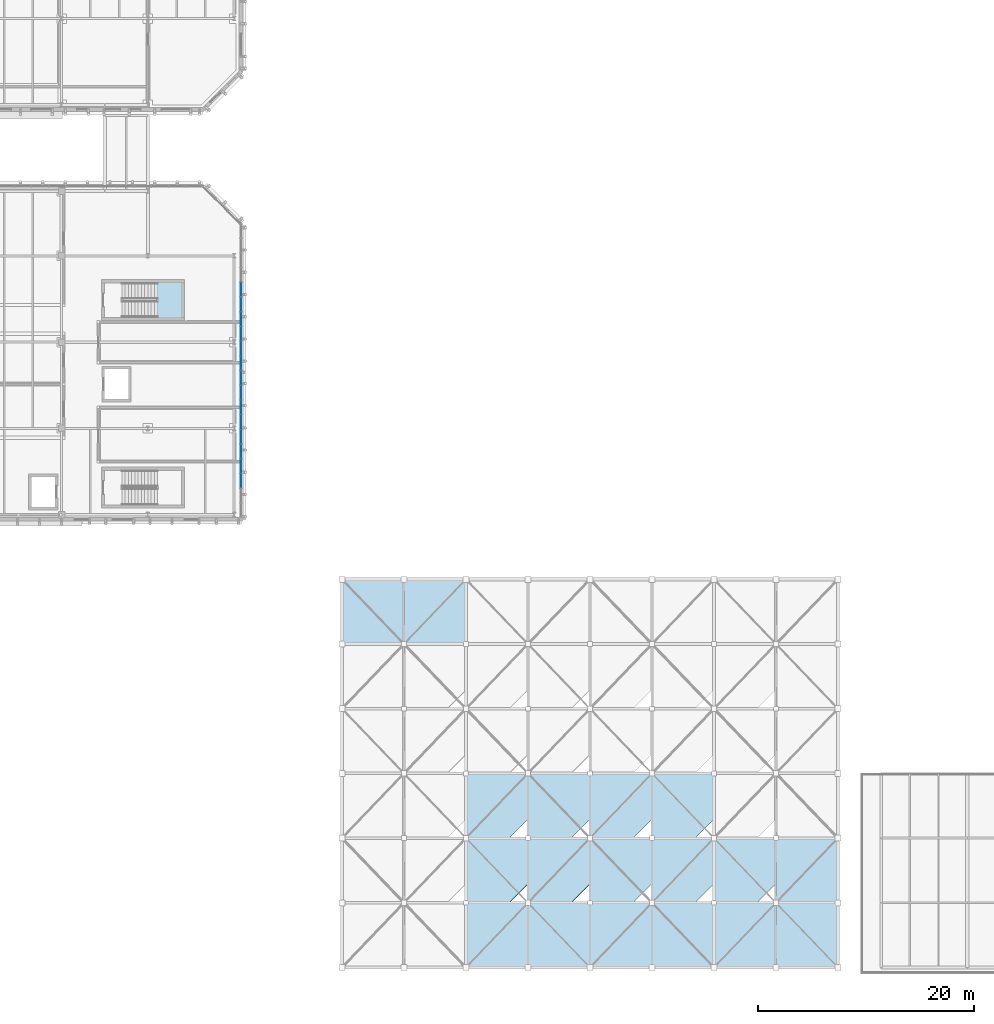
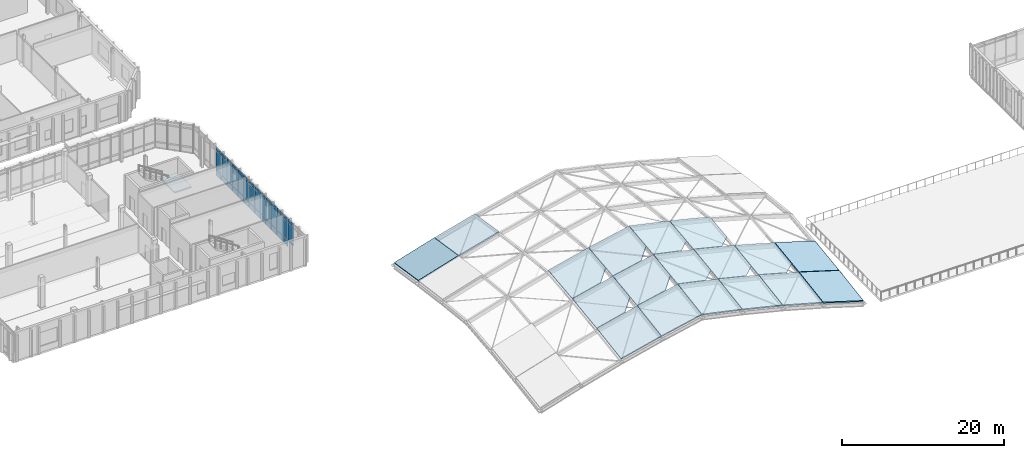
# One storey, part 30 of 62: 41 plates, 19 slabs, 5 elements without a shape of their own.
"""IFC4 building model written with IfcOpenShell, lengths in metres."""

from ifc_helpers import new_model, si_unit, direction, frame, origin, origin_2d, place, context, subcontext, project, spatial, polyline, rectangle, outline, extrude, material, layer, layer_set, type_object, element, aggregate, save


model = new_model("IFC4")

# Units and contexts
model_context = context("Model", 3, precision=1e-05, world=origin(), true_north=direction((0.0, 1.0)))
body_context = subcontext(model_context, "Body", "Model", "MODEL_VIEW")
ifc_project = project(units=[si_unit("LENGTHUNIT", "METRE"), si_unit("AREAUNIT", "SQUARE_METRE"), si_unit("VOLUMEUNIT", "CUBIC_METRE"), si_unit("PLANEANGLEUNIT", "RADIAN"), si_unit("MASSUNIT", "GRAM", prefix="KILO")], contexts=[model_context])

# Site, building, storey
site_placement = place(None, origin())
site = spatial("IfcSite", under=ifc_project, at=site_placement, CompositionType="ELEMENT")
building_placement = place(site_placement, origin())
building = spatial("IfcBuilding", under=site, at=building_placement, Name="Cymarion Research Institute", CompositionType="ELEMENT")
storey_placement = place(building_placement, frame((0.0, 0.0, 18.300048828125)))
storey = spatial("IfcBuildingStorey", under=building, at=storey_placement, Name="L04", CompositionType="ELEMENT", Elevation=18.300048828125)

# Curtain wall, plates
ifc_material_1 = material(Name="Anodised aluminium unitised curtain wall with Low-E glazing", Category="aluminium")
curtain_wall_type = type_object("IfcCurtainWallType", Name="UNITISED CURTAIN WALL CW40 6820X4280", PredefinedType="NOTDEFINED", material=ifc_material_1)
curtain_wall_1_placement = place(storey_placement, origin())
curtain_wall_1 = element("IfcCurtainWall", 1, at=curtain_wall_1_placement, inside=storey, type_object=curtain_wall_type, Name="L04 V4 unitised curtain wall CW40 #177", PredefinedType="NOTDEFINED")
ifc_material_2 = material(Name="Insulated anodised aluminium spandrel panel", Category="aluminium")
ifc_layer_1 = layer(ifc_material_2, 0.06005859375)
ifc_layer_set_1 = layer_set([ifc_layer_1], Name="Insulated anodised aluminium spandrel panel")
plate_type_1 = type_object("IfcPlateType", Name="INSULATED ALUMINIUM SPANDREL PANEL SP01 60MM", PredefinedType="SHEET", material=ifc_layer_set_1)
plate_1_placement = place(storey_placement, frame((47.22998046875, 50.6318359375, 3.760009765625), z_axis=(0.0, 0.0, 1.0), x_axis=(0.0, 1.0, 0.0)))
plate_1 = element("IfcPlate", 2, at=plate_1_placement, type_object=plate_type_1, Name="CW40 panel 3.3", PredefinedType="SHEET", context=body_context, shape_type="SweptSolid", body=[
    extrude(rectangle(XDim=1.303955078125, YDim=0.06005859375, at=origin_2d()), origin(), (0.0, 0.0, 1.0), 0.4599609375),
])
plate_2_placement = place(storey_placement, frame((47.22998046875, 51.99560546875, 0.059814453125), z_axis=(0.0, 0.0, 1.0), x_axis=(0.0, 1.0, 0.0)))
plate_2 = element("IfcPlate", 3, at=plate_2_placement, type_object=plate_type_1, Name="CW40 panel 4.1", PredefinedType="SHEET", context=body_context, shape_type="SweptSolid", body=[
    extrude(rectangle(XDim=1.303955078125, YDim=0.06005859375, at=origin_2d()), origin(), (0.0, 0.0, 1.0), 0.81005859375),
])
plate_3_placement = place(storey_placement, frame((47.22998046875, 51.99560546875, 3.760009765625), z_axis=(0.0, 0.0, 1.0), x_axis=(0.0, 1.0, 0.0)))
plate_3 = element("IfcPlate", 4, at=plate_3_placement, type_object=plate_type_1, Name="CW40 panel 4.3", PredefinedType="SHEET", context=body_context, shape_type="SweptSolid", body=[
    extrude(rectangle(XDim=1.303955078125, YDim=0.06005859375, at=origin_2d()), origin(), (0.0, 0.0, 1.0), 0.4599609375),
])
plate_4_placement = place(storey_placement, frame((47.22998046875, 53.344482421875, 0.059814453125), z_axis=(0.0, 0.0, 1.0), x_axis=(0.0, 1.0, 0.0)))
plate_4 = element("IfcPlate", 5, at=plate_4_placement, type_object=plate_type_1, Name="CW40 panel 5.1", PredefinedType="SHEET", context=body_context, shape_type="SweptSolid", body=[
    extrude(rectangle(XDim=1.27392578125, YDim=0.06005859375, at=origin_2d()), origin(), (0.0, 0.0, 1.0), 0.81005859375),
])
plate_5_placement = place(storey_placement, frame((47.22998046875, 53.344482421875, 3.760009765625), z_axis=(0.0, 0.0, 1.0), x_axis=(0.0, 1.0, 0.0)))
plate_5 = element("IfcPlate", 6, at=plate_5_placement, type_object=plate_type_1, Name="CW40 panel 5.3", PredefinedType="SHEET", context=body_context, shape_type="SweptSolid", body=[
    extrude(rectangle(XDim=1.27392578125, YDim=0.06005859375, at=origin_2d()), origin(), (0.0, 0.0, 1.0), 0.4599609375),
])

curtain_wall_2_placement = place(storey_placement, origin())
curtain_wall_2 = element("IfcCurtainWall", 7, at=curtain_wall_2_placement, inside=storey, type_object=curtain_wall_type, Name="L04 V4 unitised curtain wall CW40 #178", PredefinedType="NOTDEFINED")
plate_6_placement = place(storey_placement, frame((47.22998046875, 54.738525390625, 0.059814453125), z_axis=(0.0, 0.0, 1.0), x_axis=(0.0, 1.0, 0.0)))
plate_6 = element("IfcPlate", 8, at=plate_6_placement, type_object=plate_type_1, Name="CW40 panel 1.1", PredefinedType="SHEET", context=body_context, shape_type="SweptSolid", body=[
    extrude(rectangle(XDim=1.27392578125, YDim=0.06005859375, at=origin_2d()), origin(), (0.0, 0.0, 1.0), 0.81005859375),
])
plate_7_placement = place(storey_placement, frame((47.22998046875, 54.738525390625, 3.760009765625), z_axis=(0.0, 0.0, 1.0), x_axis=(0.0, 1.0, 0.0)))
plate_7 = element("IfcPlate", 9, at=plate_7_placement, type_object=plate_type_1, Name="CW40 panel 1.3", PredefinedType="SHEET", context=body_context, shape_type="SweptSolid", body=[
    extrude(rectangle(XDim=1.27392578125, YDim=0.06005859375, at=origin_2d()), origin(), (0.0, 0.0, 1.0), 0.4599609375),
])
plate_8_placement = place(storey_placement, frame((47.22998046875, 56.08740234375, 0.059814453125), z_axis=(0.0, 0.0, 1.0), x_axis=(0.0, 1.0, 0.0)))
plate_8 = element("IfcPlate", 10, at=plate_8_placement, type_object=plate_type_1, Name="CW40 panel 2.1", PredefinedType="SHEET", context=body_context, shape_type="SweptSolid", body=[
    extrude(rectangle(XDim=1.303955078125, YDim=0.06005859375, at=origin_2d()), origin(), (0.0, 0.0, 1.0), 0.81005859375),
])
plate_9_placement = place(storey_placement, frame((47.22998046875, 56.08740234375, 3.760009765625), z_axis=(0.0, 0.0, 1.0), x_axis=(0.0, 1.0, 0.0)))
plate_9 = element("IfcPlate", 11, at=plate_9_placement, type_object=plate_type_1, Name="CW40 panel 2.3", PredefinedType="SHEET", context=body_context, shape_type="SweptSolid", body=[
    extrude(rectangle(XDim=1.303955078125, YDim=0.06005859375, at=origin_2d()), origin(), (0.0, 0.0, 1.0), 0.4599609375),
])
plate_10_placement = place(storey_placement, frame((47.22998046875, 57.451171875, 0.059814453125), z_axis=(0.0, 0.0, 1.0), x_axis=(0.0, 1.0, 0.0)))
plate_10 = element("IfcPlate", 12, at=plate_10_placement, type_object=plate_type_1, Name="CW40 panel 3.1", PredefinedType="SHEET", context=body_context, shape_type="SweptSolid", body=[
    extrude(rectangle(XDim=1.303955078125, YDim=0.06005859375, at=origin_2d()), origin(), (0.0, 0.0, 1.0), 0.81005859375),
])
plate_11_placement = place(storey_placement, frame((47.22998046875, 57.451171875, 3.760009765625), z_axis=(0.0, 0.0, 1.0), x_axis=(0.0, 1.0, 0.0)))
plate_11 = element("IfcPlate", 13, at=plate_11_placement, type_object=plate_type_1, Name="CW40 panel 3.3", PredefinedType="SHEET", context=body_context, shape_type="SweptSolid", body=[
    extrude(rectangle(XDim=1.303955078125, YDim=0.06005859375, at=origin_2d()), origin(), (0.0, 0.0, 1.0), 0.4599609375),
])
plate_12_placement = place(storey_placement, frame((47.22998046875, 58.815185546875, 0.059814453125), z_axis=(0.0, 0.0, 1.0), x_axis=(0.0, 1.0, 0.0)))
plate_12 = element("IfcPlate", 14, at=plate_12_placement, type_object=plate_type_1, Name="CW40 panel 4.1", PredefinedType="SHEET", context=body_context, shape_type="SweptSolid", body=[
    extrude(rectangle(XDim=1.303955078125, YDim=0.06005859375, at=origin_2d()), origin(), (0.0, 0.0, 1.0), 0.81005859375),
])
plate_13_placement = place(storey_placement, frame((47.22998046875, 58.815185546875, 3.760009765625), z_axis=(0.0, 0.0, 1.0), x_axis=(0.0, 1.0, 0.0)))
plate_13 = element("IfcPlate", 15, at=plate_13_placement, type_object=plate_type_1, Name="CW40 panel 4.3", PredefinedType="SHEET", context=body_context, shape_type="SweptSolid", body=[
    extrude(rectangle(XDim=1.303955078125, YDim=0.06005859375, at=origin_2d()), origin(), (0.0, 0.0, 1.0), 0.4599609375),
])
plate_14_placement = place(storey_placement, frame((47.22998046875, 60.1640625, 0.059814453125), z_axis=(0.0, 0.0, 1.0), x_axis=(0.0, 1.0, 0.0)))
plate_14 = element("IfcPlate", 16, at=plate_14_placement, type_object=plate_type_1, Name="CW40 panel 5.1", PredefinedType="SHEET", context=body_context, shape_type="SweptSolid", body=[
    extrude(rectangle(XDim=1.27392578125, YDim=0.06005859375, at=origin_2d()), origin(), (0.0, 0.0, 1.0), 0.81005859375),
])
plate_15_placement = place(storey_placement, frame((47.22998046875, 60.1640625, 3.760009765625), z_axis=(0.0, 0.0, 1.0), x_axis=(0.0, 1.0, 0.0)))
plate_15 = element("IfcPlate", 17, at=plate_15_placement, type_object=plate_type_1, Name="CW40 panel 5.3", PredefinedType="SHEET", context=body_context, shape_type="SweptSolid", body=[
    extrude(rectangle(XDim=1.27392578125, YDim=0.06005859375, at=origin_2d()), origin(), (0.0, 0.0, 1.0), 0.4599609375),
])

curtain_wall_3_placement = place(storey_placement, origin())
curtain_wall_3 = element("IfcCurtainWall", 18, at=curtain_wall_3_placement, inside=storey, type_object=curtain_wall_type, Name="L04 V4 unitised curtain wall CW40 #179", PredefinedType="NOTDEFINED")
plate_16_placement = place(storey_placement, frame((47.22998046875, 61.557861328125, 0.059814453125), z_axis=(0.0, 0.0, 1.0), x_axis=(0.0, 1.0, 0.0)))
plate_16 = element("IfcPlate", 19, at=plate_16_placement, type_object=plate_type_1, Name="CW40 panel 1.1", PredefinedType="SHEET", context=body_context, shape_type="SweptSolid", body=[
    extrude(rectangle(XDim=1.27392578125, YDim=0.06005859375, at=origin_2d()), origin(), (0.0, 0.0, 1.0), 0.81005859375),
])
plate_17_placement = place(storey_placement, frame((47.22998046875, 61.557861328125, 3.760009765625), z_axis=(0.0, 0.0, 1.0), x_axis=(0.0, 1.0, 0.0)))
plate_17 = element("IfcPlate", 20, at=plate_17_placement, type_object=plate_type_1, Name="CW40 panel 1.3", PredefinedType="SHEET", context=body_context, shape_type="SweptSolid", body=[
    extrude(rectangle(XDim=1.27392578125, YDim=0.06005859375, at=origin_2d()), origin(), (0.0, 0.0, 1.0), 0.4599609375),
])
plate_18_placement = place(storey_placement, frame((47.22998046875, 62.90673828125, 0.059814453125), z_axis=(0.0, 0.0, 1.0), x_axis=(0.0, 1.0, 0.0)))
plate_18 = element("IfcPlate", 21, at=plate_18_placement, type_object=plate_type_1, Name="CW40 panel 2.1", PredefinedType="SHEET", context=body_context, shape_type="SweptSolid", body=[
    extrude(rectangle(XDim=1.303955078125, YDim=0.06005859375, at=origin_2d()), origin(), (0.0, 0.0, 1.0), 0.81005859375),
])
plate_19_placement = place(storey_placement, frame((47.22998046875, 62.90673828125, 3.760009765625), z_axis=(0.0, 0.0, 1.0), x_axis=(0.0, 1.0, 0.0)))
plate_19 = element("IfcPlate", 22, at=plate_19_placement, type_object=plate_type_1, Name="CW40 panel 2.3", PredefinedType="SHEET", context=body_context, shape_type="SweptSolid", body=[
    extrude(rectangle(XDim=1.303955078125, YDim=0.06005859375, at=origin_2d()), origin(), (0.0, 0.0, 1.0), 0.4599609375),
])
plate_20_placement = place(storey_placement, frame((47.22998046875, 64.270751953125, 0.059814453125), z_axis=(0.0, 0.0, 1.0), x_axis=(0.0, 1.0, 0.0)))
plate_20 = element("IfcPlate", 23, at=plate_20_placement, type_object=plate_type_1, Name="CW40 panel 3.1", PredefinedType="SHEET", context=body_context, shape_type="SweptSolid", body=[
    extrude(rectangle(XDim=1.303955078125, YDim=0.06005859375, at=origin_2d()), origin(), (0.0, 0.0, 1.0), 0.81005859375),
])
plate_21_placement = place(storey_placement, frame((47.22998046875, 64.270751953125, 3.760009765625), z_axis=(0.0, 0.0, 1.0), x_axis=(0.0, 1.0, 0.0)))
plate_21 = element("IfcPlate", 24, at=plate_21_placement, type_object=plate_type_1, Name="CW40 panel 3.3", PredefinedType="SHEET", context=body_context, shape_type="SweptSolid", body=[
    extrude(rectangle(XDim=1.303955078125, YDim=0.06005859375, at=origin_2d()), origin(), (0.0, 0.0, 1.0), 0.4599609375),
])
plate_22_placement = place(storey_placement, frame((47.22998046875, 65.634765625, 0.059814453125), z_axis=(0.0, 0.0, 1.0), x_axis=(0.0, 1.0, 0.0)))
plate_22 = element("IfcPlate", 25, at=plate_22_placement, type_object=plate_type_1, Name="CW40 panel 4.1", PredefinedType="SHEET", context=body_context, shape_type="SweptSolid", body=[
    extrude(rectangle(XDim=1.303955078125, YDim=0.06005859375, at=origin_2d()), origin(), (0.0, 0.0, 1.0), 0.81005859375),
])
plate_23_placement = place(storey_placement, frame((47.22998046875, 65.634765625, 3.760009765625), z_axis=(0.0, 0.0, 1.0), x_axis=(0.0, 1.0, 0.0)))
plate_23 = element("IfcPlate", 26, at=plate_23_placement, type_object=plate_type_1, Name="CW40 panel 4.3", PredefinedType="SHEET", context=body_context, shape_type="SweptSolid", body=[
    extrude(rectangle(XDim=1.303955078125, YDim=0.06005859375, at=origin_2d()), origin(), (0.0, 0.0, 1.0), 0.4599609375),
])
plate_24_placement = place(storey_placement, frame((47.22998046875, 66.983642578125, 0.059814453125), z_axis=(0.0, 0.0, 1.0), x_axis=(0.0, 1.0, 0.0)))
plate_24 = element("IfcPlate", 27, at=plate_24_placement, type_object=plate_type_1, Name="CW40 panel 5.1", PredefinedType="SHEET", context=body_context, shape_type="SweptSolid", body=[
    extrude(rectangle(XDim=1.27392578125, YDim=0.06005859375, at=origin_2d()), origin(), (0.0, 0.0, 1.0), 0.81005859375),
])
plate_25_placement = place(storey_placement, frame((47.22998046875, 66.983642578125, 3.760009765625), z_axis=(0.0, 0.0, 1.0), x_axis=(0.0, 1.0, 0.0)))
plate_25 = element("IfcPlate", 28, at=plate_25_placement, type_object=plate_type_1, Name="CW40 panel 5.3", PredefinedType="SHEET", context=body_context, shape_type="SweptSolid", body=[
    extrude(rectangle(XDim=1.27392578125, YDim=0.06005859375, at=origin_2d()), origin(), (0.0, 0.0, 1.0), 0.4599609375),
])

curtain_wall_4_placement = place(storey_placement, origin())
curtain_wall_4 = element("IfcCurtainWall", 29, at=curtain_wall_4_placement, inside=storey, type_object=curtain_wall_type, Name="L04 V4 unitised curtain wall CW40 #180", PredefinedType="NOTDEFINED")
plate_26_placement = place(storey_placement, frame((47.22998046875, 68.37744140625, 0.059814453125), z_axis=(0.0, 0.0, 1.0), x_axis=(0.0, 1.0, 0.0)))
plate_26 = element("IfcPlate", 30, at=plate_26_placement, type_object=plate_type_1, Name="CW40 panel 1.1", PredefinedType="SHEET", context=body_context, shape_type="SweptSolid", body=[
    extrude(rectangle(XDim=1.27392578125, YDim=0.06005859375, at=origin_2d()), origin(), (0.0, 0.0, 1.0), 0.81005859375),
])
plate_27_placement = place(storey_placement, frame((47.22998046875, 68.37744140625, 3.760009765625), z_axis=(0.0, 0.0, 1.0), x_axis=(0.0, 1.0, 0.0)))
plate_27 = element("IfcPlate", 31, at=plate_27_placement, type_object=plate_type_1, Name="CW40 panel 1.3", PredefinedType="SHEET", context=body_context, shape_type="SweptSolid", body=[
    extrude(rectangle(XDim=1.27392578125, YDim=0.06005859375, at=origin_2d()), origin(), (0.0, 0.0, 1.0), 0.4599609375),
])

# Stair, slab
ifc_material_3 = material(Name="Concrete C35/45", Category="concrete")
stair_type = type_object("IfcStairType", Name="REINFORCED CONCRETE DOGLEG STAIR STR-4500", PredefinedType="HALF_TURN_STAIR", material=ifc_material_3)
stair_placement = place(storey_placement, origin())
stair = element("IfcStair", 32, at=stair_placement, inside=storey, type_object=stair_type, Name="L04 Core C8 Smoke-Proof Exit Stair ST8", PredefinedType="HALF_TURN_STAIR")
ifc_layer_2 = layer(ifc_material_3, 0.199951171875)
ifc_layer_set_2 = layer_set([ifc_layer_2], Name="Concrete C35/45")
slab_type_1 = type_object("IfcSlabType", Name="REINFORCED CONCRETE STAIR LANDING LDG200", PredefinedType="LANDING", material=ifc_layer_set_2)
slab_1_placement = place(storey_placement, frame((0.0, 0.0, 2.050048828125)))
slab_1 = element("IfcSlab", 33, at=slab_1_placement, type_object=slab_type_1, Name="ST8 landing 1", PredefinedType="LANDING", context=body_context, shape_type="SweptSolid", body=[
    extrude(outline(polyline([(39.3798828125, 65.679931640625), (39.3798828125, 69.1201171875), (41.820068359375, 69.1201171875), (41.820068359375, 65.679931640625), (39.3798828125, 65.679931640625)])), origin(), (0.0, 0.0, 1.0), 0.199951171875),
])
aggregate(stair, [slab_1])

# Slabs
ifc_layer_3 = layer(ifc_material_3, 0.179931640625)
ifc_layer_set_3 = layer_set([ifc_layer_3], Name="Concrete C35/45")
slab_type_2 = type_object("IfcSlabType", Name="ROOF SLAB SL-RF180 180MM", PredefinedType="ROOF", material=ifc_layer_set_3)
slab_2_placement = place(storey_placement, frame((56.625, 35.52490234375, 1.233642578125), z_axis=(-0.28953152297, 0.146604345564, 0.945874549329), x_axis=(0.956206031696, -2.839672e-06, 0.292694422463)))
element("IfcSlab", 34, at=slab_2_placement, inside=storey, type_object=slab_type_2, Name="Translational gridshell roof cassette B1-6", PredefinedType="ROOF", context=body_context, shape_type="SweptSolid", body=[
    extrude(outline(polyline([(0.0, 0.0), (5.961042299643434, 0.0), (5.691054815131736, 6.015204487327969), (-0.26991602591246405, 6.015170262929208), (0.0, 0.0)])), origin(), (0.0, 0.0, -1.0), 0.179931640625),
])
slab_3_placement = place(storey_placement, frame((62.375, 35.52490234375, 2.992919921875), z_axis=(-0.265153979791, 0.14766316809, 0.952832071139), x_axis=(0.963393066788, 0.0, 0.268092892231)))
element("IfcSlab", 35, at=slab_3_placement, inside=storey, type_object=slab_type_2, Name="Translational gridshell roof cassette B2-6", PredefinedType="ROOF", context=body_context, shape_type="SweptSolid", body=[
    extrude(outline(polyline([(0.0, 0.0), (5.9165374636534676, 2.7755575615628914e-17), (5.669323876261579, 6.016146059448092), (-0.24721358739188834, 6.016146059448092), (0.0, 0.0)])), origin(), (0.0, 0.0, -1.0), 0.179931640625),
])
slab_4_placement = place(storey_placement, frame((68.125, 5.52490234375, 3.669921875), z_axis=(-0.233950089675, -0.148894839405, 0.960779726233), x_axis=(0.971610230498, 0.0, 0.236587320015)))
element("IfcSlab", 36, at=slab_4_placement, inside=storey, type_object=slab_type_2, Name="Translational gridshell roof cassette B3-1", PredefinedType="ROOF", context=body_context, shape_type="SweptSolid", body=[
    extrude(outline(polyline([(0.0, 0.0), (5.86649974748999, 0.0), (6.084661443704627, 6.017269600134991), (0.2181616962146373, 6.017269600134991), (0.0, 0.0)])), origin(), (0.0, 0.0, -1.0), 0.179931640625),
])
slab_5_placement = place(storey_placement, frame((68.125, 11.52490234375, 4.599365234375), z_axis=(-0.234573387599, -0.130055746394, 0.963359137944), x_axis=(0.971611439182, -3.16822e-06, 0.23658235615)))
element("IfcSlab", 37, at=slab_5_placement, inside=storey, type_object=slab_type_2, Name="Translational gridshell roof cassette B3-2", PredefinedType="ROOF", context=body_context, shape_type="SweptSolid", body=[
    extrude(outline(polyline([(0.0, 0.0), (4.116847860896765, 0.0), (5.920788163228373, 1.714776982754914), (6.056509204386324, 6.001179489397366), (0.19000945700233768, 6.001157162948493), (0.0, 0.0)])), origin(), (0.0, 0.0, -1.0), 0.179931640625),
])
slab_6_placement = place(storey_placement, frame((68.125, 17.52490234375, 5.40869140625), z_axis=(-0.235249304932, -0.106265295572, 0.96610840566), x_axis=(0.971609770611, 2.822718e-06, 0.236589208642)))
element("IfcSlab", 38, at=slab_6_placement, inside=storey, type_object=slab_type_2, Name="Translational gridshell roof cassette B3-3", PredefinedType="ROOF", context=body_context, shape_type="SweptSolid", body=[
    extrude(outline(polyline([(0.0, 0.0), (4.116905621134608, -1.3877787807814457e-17), (5.910749501172705, 1.7098593481696882), (6.021373884087347, 5.984066395816245), (0.15487413663181118, 5.984084073309338), (0.0, 0.0)])), origin(), (0.0, 0.0, -1.0), 0.179931640625),
])
slab_7_placement = place(storey_placement, frame((73.875, 5.52490234375, 5.0693359375), z_axis=(-0.208414207129, -0.149801224094, 0.966500445694), x_axis=(0.97753086892, -3.031019e-06, 0.210792315562)))
element("IfcSlab", 39, at=slab_7_placement, inside=storey, type_object=slab_type_2, Name="Translational gridshell roof cassette B4-1", PredefinedType="ROOF", context=body_context, shape_type="SweptSolid", body=[
    extrude(outline(polyline([(0.0, 0.0), (5.830942801075777, 0.0), (6.025351857763521, 6.018121250378186), (0.19435759372007794, 6.01808549941323), (0.0, 0.0)])), origin(), (0.0, 0.0, -1.0), 0.179931640625),
])
slab_8_placement = place(storey_placement, frame((73.875, 11.52490234375, 5.998779296875), z_axis=(-0.208997012014, -0.130831168671, 0.969125097329), x_axis=(0.977527336484, -2.248686e-06, 0.210808696268)))
element("IfcSlab", 40, at=slab_8_placement, inside=storey, type_object=slab_type_2, Name="Translational gridshell roof cassette B4-2", PredefinedType="ROOF", context=body_context, shape_type="SweptSolid", body=[
    extrude(outline(polyline([(0.0, 0.0), (4.091942139858939, 0.0), (5.879369390926413, 1.7149478414043142), (6.000307206137259, 6.001792916208424), (0.16931294085598705, 6.001776738448944), (0.0, 0.0)])), origin(), (0.0, 0.0, -1.0), 0.179931640625),
])
slab_9_placement = place(storey_placement, frame((73.875, 17.52490234375, 6.80810546875), z_axis=(-0.209600785432, -0.106922724332, 0.971923372374), x_axis=(0.977527252105, -1.875508e-06, 0.210809087539)))
element("IfcSlab", 41, at=slab_9_placement, inside=storey, type_object=slab_type_2, Name="Translational gridshell roof cassette B4-3", PredefinedType="ROOF", context=body_context, shape_type="SweptSolid", body=[
    extrude(outline(polyline([(0.0, 0.0), (4.091942139833851, 0.0), (5.870414846353786, 1.7100083969918736), (5.968966299916487, 5.9845108538959355), (0.1379720346214723, 5.984497632504315), (0.0, 0.0)])), origin(), (0.0, 0.0, -1.0), 0.179931640625),
])
slab_10_placement = place(storey_placement, frame((79.625, 5.52490234375, 6.29833984375), z_axis=(0.208414207129, -0.149801224094, 0.966500445694), x_axis=(0.97753086892, 3.031019e-06, -0.210792315562)))
element("IfcSlab", 42, at=slab_10_placement, inside=storey, type_object=slab_type_2, Name="Translational gridshell roof cassette B5-1", PredefinedType="ROOF", context=body_context, shape_type="SweptSolid", body=[
    extrude(outline(polyline([(0.0, 0.0), (5.830942801075777, 0.0), (5.636585207355699, 6.01808549941323), (-0.1944090566877445, 6.0181212503781865), (0.0, 0.0)])), origin(), (0.0, 0.0, -1.0), 0.179931640625),
])
slab_11_placement = place(storey_placement, frame((79.625, 11.52490234375, 7.22802734375), z_axis=(0.20900597925, -0.130836475983, 0.969122446954), x_axis=(0.977525177189, -4.096355e-06, -0.210818708714)))
element("IfcSlab", 43, at=slab_11_placement, inside=storey, type_object=slab_type_2, Name="Translational gridshell roof cassette B5-2", PredefinedType="ROOF", context=body_context, shape_type="SweptSolid", body=[
    extrude(outline(polyline([(0.0, 0.0), (4.091993608317431, -1.3877787807814457e-17), (5.782606053958096, 1.7149596104273475), (5.661635527878375, 6.0018037621310585), (-0.1693587373116787, 6.001775445971589), (0.0, 0.0)])), origin(), (0.0, 0.0, -1.0), 0.179931640625),
])
slab_12_placement = place(storey_placement, frame((79.625, 17.52490234375, 8.037353515625), z_axis=(0.209603738004, -0.106907690925, 0.971924389362), x_axis=(0.977526692071, 2.160886e-06, -0.21081168441)))
element("IfcSlab", 44, at=slab_12_placement, inside=storey, type_object=slab_type_2, Name="Translational gridshell roof cassette B5-3", PredefinedType="ROOF", context=body_context, shape_type="SweptSolid", body=[
    extrude(outline(polyline([(0.0, 0.0), (4.091942139627471, -1.3877787807814457e-17), (5.791573683824213, 1.709981956291879), (5.693022229006076, 5.984484412967378), (-0.13797203632334315, 5.984497632500061), (0.0, 0.0)])), origin(), (0.0, 0.0, -1.0), 0.179931640625),
])
slab_13_placement = place(storey_placement, frame((85.375, 5.52490234375, 5.057861328125), z_axis=(0.233950089675, -0.148894839405, 0.960779726233), x_axis=(0.971610230498, 0.0, -0.236587320015)))
element("IfcSlab", 45, at=slab_13_placement, inside=storey, type_object=slab_type_2, Name="Translational gridshell roof cassette B6-1", PredefinedType="ROOF", context=body_context, shape_type="SweptSolid", body=[
    extrude(outline(polyline([(0.0, 0.0), (5.86649974748999, 0.0), (5.648338051275353, 6.017269600134991), (-0.2181616962146373, 6.017269600134991), (0.0, 0.0)])), origin(), (0.0, 0.0, -1.0), 0.179931640625),
])
slab_14_placement = place(storey_placement, frame((85.375, 11.52490234375, 5.9873046875), z_axis=(0.234577168859, -0.130035031824, 0.963361013509), x_axis=(0.971610681427, 3.587762e-06, -0.236585468118)))
element("IfcSlab", 46, at=slab_14_placement, inside=storey, type_object=slab_type_2, Name="Translational gridshell roof cassette B6-2", PredefinedType="ROOF", context=body_context, shape_type="SweptSolid", body=[
    extrude(outline(polyline([(0.0, 0.0), (4.11684786055133, 0.0), (5.812211330727837, 1.714732333779642), (5.6764902871916485, 6.001134840011576), (-0.1900094602499274, 6.0011571629044145), (0.0, 0.0)])), origin(), (0.0, 0.0, -1.0), 0.179931640625),
])
slab_15_placement = place(storey_placement, frame((85.375, 17.52490234375, 6.796630859375), z_axis=(0.235246046256, -0.106265060272, 0.966109225029), x_axis=(0.971610714981, 2.908434e-06, -0.236585330326)))
element("IfcSlab", 47, at=slab_15_placement, inside=storey, type_object=slab_type_2, Name="Translational gridshell roof cassette B6-3", PredefinedType="ROOF", context=body_context, shape_type="SweptSolid", body=[
    extrude(outline(polyline([(0.0, 0.0), (4.116847860576344, 1.3877787807814457e-17), (5.822260463104233, 1.7098590542236374), (5.711662250812492, 5.984066779115638), (-0.1548374966403843, 5.984085021457873), (0.0, 0.0)])), origin(), (0.0, 0.0, -1.0), 0.179931640625),
])
slab_16_placement = place(storey_placement, frame((91.125, 5.52490234375, 3.656982421875), z_axis=(0.265153979791, -0.14766316809, 0.952832071139), x_axis=(0.963393066788, 0.0, -0.268092892231)))
element("IfcSlab", 48, at=slab_16_placement, inside=storey, type_object=slab_type_2, Name="Translational gridshell roof cassette B7-1", PredefinedType="ROOF", context=body_context, shape_type="SweptSolid", body=[
    extrude(outline(polyline([(0.0, 0.0), (5.9165374636534676, 2.7755575615628914e-17), (5.669323876261579, 6.016146059448092), (-0.24721358739188834, 6.016146059448092), (0.0, 0.0)])), origin(), (0.0, 0.0, -1.0), 0.179931640625),
])
slab_17_placement = place(storey_placement, frame((91.125, 11.52490234375, 4.58642578125), z_axis=(0.265853982835, -0.128957058907, 0.955349013067), x_axis=(0.963393257296, 2.392413e-06, -0.26809220763)))
element("IfcSlab", 49, at=slab_17_placement, inside=storey, type_object=slab_type_2, Name="Translational gridshell roof cassette B7-2", PredefinedType="ROOF", context=body_context, shape_type="SweptSolid", body=[
    extrude(outline(polyline([(0.0, 0.0), (4.151969605008283, 0.0), (5.855016464023721, 1.7144958269268702), (5.701213963827248, 6.000287637042009), (-0.21532349980779328, 6.000302215836724), (0.0, 0.0)])), origin(), (0.0, 0.0, -1.0), 0.179931640625),
])
slab_18_placement = place(storey_placement, frame((96.875, 5.52490234375, 2.05615234375), z_axis=(0.28953152297, -0.146604345564, 0.945874549329), x_axis=(0.956206278061, 2.839706e-06, -0.292693617609)))
element("IfcSlab", 50, at=slab_18_placement, inside=storey, type_object=slab_type_2, Name="Translational gridshell roof cassette B8-1", PredefinedType="ROOF", context=body_context, shape_type="SweptSolid", body=[
    extrude(outline(polyline([(0.0, 0.0), (5.960970841142449, -2.7755575615628914e-17), (5.691089350814489, 6.015171812529594), (-0.26995294873069575, 6.015206037338629), (0.0, 0.0)])), origin(), (0.0, 0.0, -1.0), 0.179931640625),
])
slab_19_placement = place(storey_placement, frame((96.875, 11.52490234375, 2.985595703125), z_axis=(0.290267122609, -0.128017884966, 0.948344040241), x_axis=(0.956211886068, 0.0, -0.292675296091)))
element("IfcSlab", 51, at=slab_19_placement, inside=storey, type_object=slab_type_2, Name="Translational gridshell roof cassette B8-2", PredefinedType="ROOF", context=body_context, shape_type="SweptSolid", body=[
    extrude(outline(polyline([(0.0, 0.0), (5.960970842260702, 0.0), (5.725887413515527, 5.999560540067888), (-0.23508342874517463, 5.999560540067889), (0.0, 0.0)])), origin(), (0.0, 0.0, -1.0), 0.179931640625),
])

# Plate
ifc_material_4 = material(Name="Low-E double solar-control glazing", Category="glass")
ifc_layer_4 = layer(ifc_material_4, 0.035888671875)
ifc_layer_set_4 = layer_set([ifc_layer_4], Name="Low-E double solar-control glazing")
plate_type_2 = type_object("IfcPlateType", Name="SOLAR CONTROL GLAZED VISION PANEL GP01 36MM", PredefinedType="CURTAIN_PANEL", material=ifc_layer_set_4)
plate_28_placement = place(storey_placement, frame((47.22998046875, 50.6318359375, 0.929931640625), z_axis=(0.0, 0.0, 1.0), x_axis=(0.0, 1.0, 0.0)))
plate_28 = element("IfcPlate", 52, at=plate_28_placement, type_object=plate_type_2, Name="CW40 panel 3.2", PredefinedType="CURTAIN_PANEL", context=body_context, shape_type="SweptSolid", body=[
    extrude(rectangle(XDim=1.303955078125, YDim=0.035888671875, at=origin_2d()), origin(), (0.0, 0.0, 1.0), 2.77001953125),
])

plate_29_placement = place(storey_placement, frame((47.22998046875, 51.99560546875, 0.929931640625), z_axis=(0.0, 0.0, 1.0), x_axis=(0.0, 1.0, 0.0)))
plate_29 = element("IfcPlate", 53, at=plate_29_placement, type_object=plate_type_2, Name="CW40 panel 4.2", PredefinedType="CURTAIN_PANEL", context=body_context, shape_type="SweptSolid", body=[
    extrude(rectangle(XDim=1.303955078125, YDim=0.035888671875, at=origin_2d()), origin(), (0.0, 0.0, 1.0), 2.77001953125),
])

plate_30_placement = place(storey_placement, frame((47.22998046875, 53.344482421875, 0.929931640625), z_axis=(0.0, 0.0, 1.0), x_axis=(0.0, 1.0, 0.0)))
plate_30 = element("IfcPlate", 54, at=plate_30_placement, type_object=plate_type_2, Name="CW40 panel 5.2", PredefinedType="CURTAIN_PANEL", context=body_context, shape_type="SweptSolid", body=[
    extrude(rectangle(XDim=1.27392578125, YDim=0.035888671875, at=origin_2d()), origin(), (0.0, 0.0, 1.0), 2.77001953125),
])

aggregate(curtain_wall_1, [plate_28, plate_1, plate_2, plate_29, plate_3, plate_4, plate_30, plate_5])

plate_31_placement = place(storey_placement, frame((47.22998046875, 54.738525390625, 0.929931640625), z_axis=(0.0, 0.0, 1.0), x_axis=(0.0, 1.0, 0.0)))
plate_31 = element("IfcPlate", 55, at=plate_31_placement, type_object=plate_type_2, Name="CW40 panel 1.2", PredefinedType="CURTAIN_PANEL", context=body_context, shape_type="SweptSolid", body=[
    extrude(rectangle(XDim=1.27392578125, YDim=0.035888671875, at=origin_2d()), origin(), (0.0, 0.0, 1.0), 2.77001953125),
])

plate_32_placement = place(storey_placement, frame((47.22998046875, 56.08740234375, 0.929931640625), z_axis=(0.0, 0.0, 1.0), x_axis=(0.0, 1.0, 0.0)))
plate_32 = element("IfcPlate", 56, at=plate_32_placement, type_object=plate_type_2, Name="CW40 panel 2.2", PredefinedType="CURTAIN_PANEL", context=body_context, shape_type="SweptSolid", body=[
    extrude(rectangle(XDim=1.303955078125, YDim=0.035888671875, at=origin_2d()), origin(), (0.0, 0.0, 1.0), 2.77001953125),
])

plate_33_placement = place(storey_placement, frame((47.22998046875, 57.451171875, 0.929931640625), z_axis=(0.0, 0.0, 1.0), x_axis=(0.0, 1.0, 0.0)))
plate_33 = element("IfcPlate", 57, at=plate_33_placement, type_object=plate_type_2, Name="CW40 panel 3.2", PredefinedType="CURTAIN_PANEL", context=body_context, shape_type="SweptSolid", body=[
    extrude(rectangle(XDim=1.303955078125, YDim=0.035888671875, at=origin_2d()), origin(), (0.0, 0.0, 1.0), 2.77001953125),
])

plate_34_placement = place(storey_placement, frame((47.22998046875, 58.815185546875, 0.929931640625), z_axis=(0.0, 0.0, 1.0), x_axis=(0.0, 1.0, 0.0)))
plate_34 = element("IfcPlate", 58, at=plate_34_placement, type_object=plate_type_2, Name="CW40 panel 4.2", PredefinedType="CURTAIN_PANEL", context=body_context, shape_type="SweptSolid", body=[
    extrude(rectangle(XDim=1.303955078125, YDim=0.035888671875, at=origin_2d()), origin(), (0.0, 0.0, 1.0), 2.77001953125),
])

plate_35_placement = place(storey_placement, frame((47.22998046875, 60.1640625, 0.929931640625), z_axis=(0.0, 0.0, 1.0), x_axis=(0.0, 1.0, 0.0)))
plate_35 = element("IfcPlate", 59, at=plate_35_placement, type_object=plate_type_2, Name="CW40 panel 5.2", PredefinedType="CURTAIN_PANEL", context=body_context, shape_type="SweptSolid", body=[
    extrude(rectangle(XDim=1.27392578125, YDim=0.035888671875, at=origin_2d()), origin(), (0.0, 0.0, 1.0), 2.77001953125),
])

aggregate(curtain_wall_2, [plate_6, plate_31, plate_7, plate_8, plate_32, plate_9, plate_10, plate_33, plate_11, plate_12, plate_34, plate_13, plate_14, plate_35, plate_15])

plate_36_placement = place(storey_placement, frame((47.22998046875, 61.557861328125, 0.929931640625), z_axis=(0.0, 0.0, 1.0), x_axis=(0.0, 1.0, 0.0)))
plate_36 = element("IfcPlate", 60, at=plate_36_placement, type_object=plate_type_2, Name="CW40 panel 1.2", PredefinedType="CURTAIN_PANEL", context=body_context, shape_type="SweptSolid", body=[
    extrude(rectangle(XDim=1.27392578125, YDim=0.035888671875, at=origin_2d()), origin(), (0.0, 0.0, 1.0), 2.77001953125),
])

plate_37_placement = place(storey_placement, frame((47.22998046875, 62.90673828125, 0.929931640625), z_axis=(0.0, 0.0, 1.0), x_axis=(0.0, 1.0, 0.0)))
plate_37 = element("IfcPlate", 61, at=plate_37_placement, type_object=plate_type_2, Name="CW40 panel 2.2", PredefinedType="CURTAIN_PANEL", context=body_context, shape_type="SweptSolid", body=[
    extrude(rectangle(XDim=1.303955078125, YDim=0.035888671875, at=origin_2d()), origin(), (0.0, 0.0, 1.0), 2.77001953125),
])

plate_38_placement = place(storey_placement, frame((47.22998046875, 64.270751953125, 0.929931640625), z_axis=(0.0, 0.0, 1.0), x_axis=(0.0, 1.0, 0.0)))
plate_38 = element("IfcPlate", 62, at=plate_38_placement, type_object=plate_type_2, Name="CW40 panel 3.2", PredefinedType="CURTAIN_PANEL", context=body_context, shape_type="SweptSolid", body=[
    extrude(rectangle(XDim=1.303955078125, YDim=0.035888671875, at=origin_2d()), origin(), (0.0, 0.0, 1.0), 2.77001953125),
])

plate_39_placement = place(storey_placement, frame((47.22998046875, 65.634765625, 0.929931640625), z_axis=(0.0, 0.0, 1.0), x_axis=(0.0, 1.0, 0.0)))
plate_39 = element("IfcPlate", 63, at=plate_39_placement, type_object=plate_type_2, Name="CW40 panel 4.2", PredefinedType="CURTAIN_PANEL", context=body_context, shape_type="SweptSolid", body=[
    extrude(rectangle(XDim=1.303955078125, YDim=0.035888671875, at=origin_2d()), origin(), (0.0, 0.0, 1.0), 2.77001953125),
])

plate_40_placement = place(storey_placement, frame((47.22998046875, 66.983642578125, 0.929931640625), z_axis=(0.0, 0.0, 1.0), x_axis=(0.0, 1.0, 0.0)))
plate_40 = element("IfcPlate", 64, at=plate_40_placement, type_object=plate_type_2, Name="CW40 panel 5.2", PredefinedType="CURTAIN_PANEL", context=body_context, shape_type="SweptSolid", body=[
    extrude(rectangle(XDim=1.27392578125, YDim=0.035888671875, at=origin_2d()), origin(), (0.0, 0.0, 1.0), 2.77001953125),
])

aggregate(curtain_wall_3, [plate_16, plate_36, plate_17, plate_18, plate_37, plate_19, plate_20, plate_38, plate_21, plate_22, plate_39, plate_23, plate_24, plate_40, plate_25])

plate_41_placement = place(storey_placement, frame((47.22998046875, 68.37744140625, 0.929931640625), z_axis=(0.0, 0.0, 1.0), x_axis=(0.0, 1.0, 0.0)))
plate_41 = element("IfcPlate", 65, at=plate_41_placement, type_object=plate_type_2, Name="CW40 panel 1.2", PredefinedType="CURTAIN_PANEL", context=body_context, shape_type="SweptSolid", body=[
    extrude(rectangle(XDim=1.27392578125, YDim=0.035888671875, at=origin_2d()), origin(), (0.0, 0.0, 1.0), 2.77001953125),
])

aggregate(curtain_wall_4, [plate_26, plate_41, plate_27])

save(model, "model.ifc")
